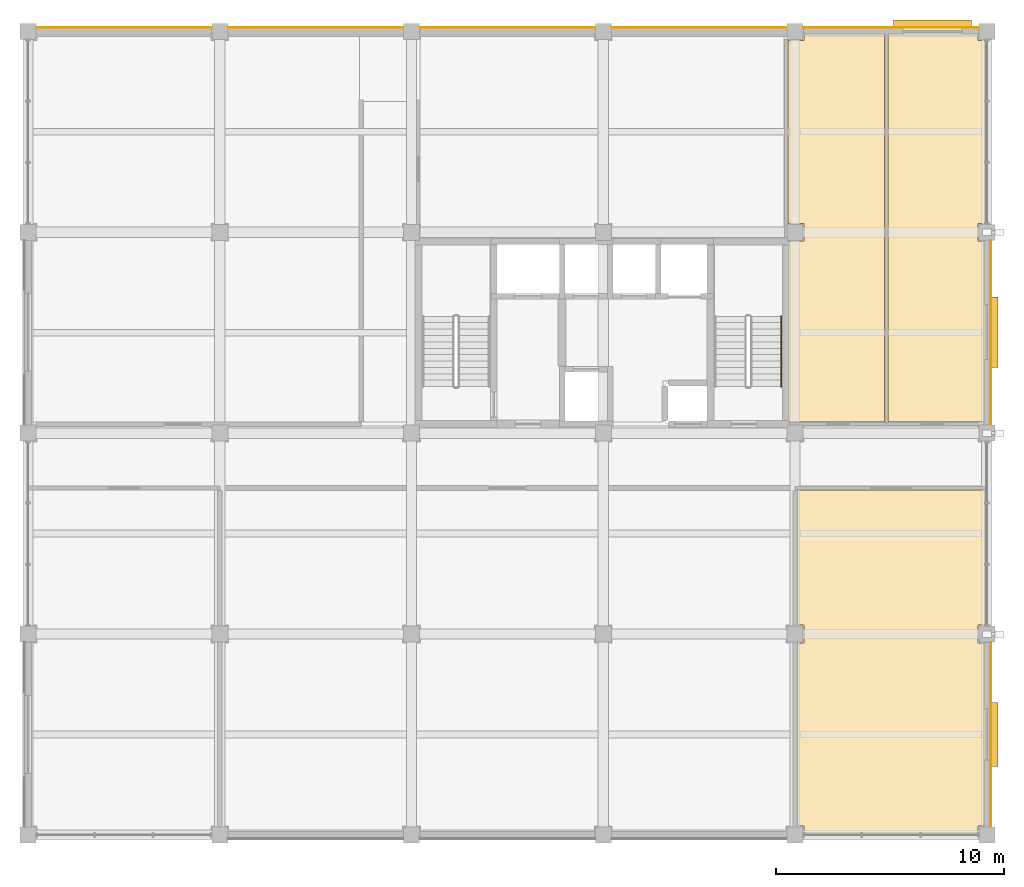
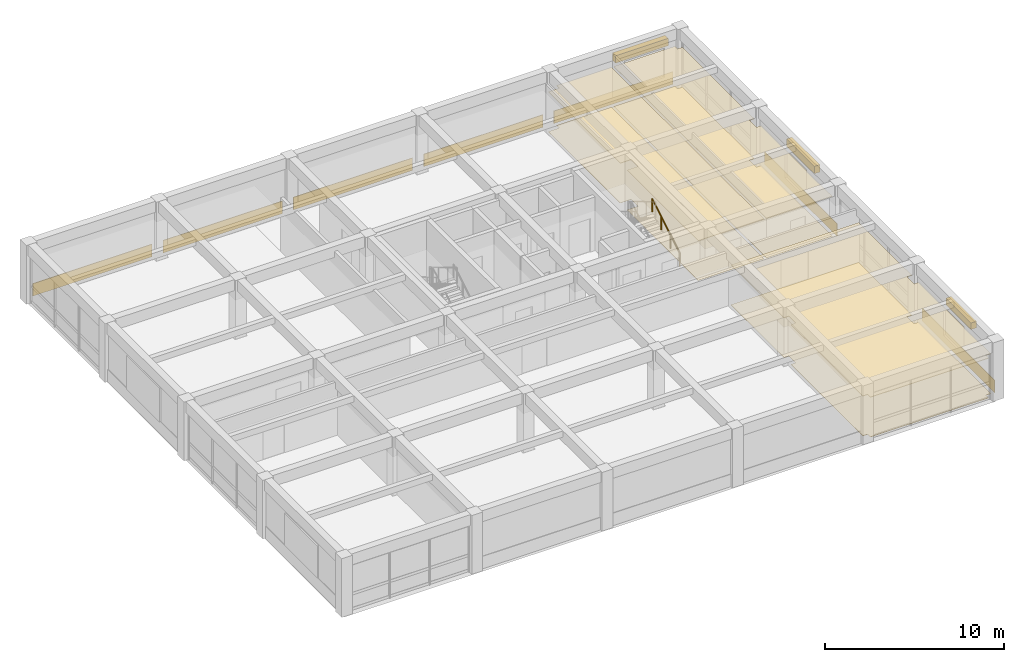
# One storey, part 14 of 14: 13 coverings, 3 shading devices, 1 railing.
"""IFC4 building model written with IfcOpenShell, lengths in metres."""

from ifc_helpers import new_model, si_unit, direction, frame, origin, origin_2d, place, context, subcontext, project, spatial, polyline, rectangle, circle, outline, extrude, material, layer, layer_set, type_object, element, save


model = new_model("IFC4")

# Units and contexts
model_context = context("Model", 3, precision=1e-05, world=origin(), true_north=direction((0.0, 1.0)))
body_context = subcontext(model_context, "Body", "Model", "MODEL_VIEW")
ifc_project = project(units=[si_unit("LENGTHUNIT", "METRE"), si_unit("AREAUNIT", "SQUARE_METRE"), si_unit("VOLUMEUNIT", "CUBIC_METRE"), si_unit("PLANEANGLEUNIT", "RADIAN"), si_unit("MASSUNIT", "GRAM", prefix="KILO")], contexts=[model_context])

# Site, building, storey
site_placement = place(None, origin())
site = spatial("IfcSite", under=ifc_project, at=site_placement, CompositionType="ELEMENT")
building_placement = place(site_placement, origin())
building = spatial("IfcBuilding", under=site, at=building_placement, Name="Kemercrest Conservatory and Botanical Centre", CompositionType="ELEMENT")
storey_placement = place(building_placement, frame((0.0, 0.0, 32.800048828125)))
storey = spatial("IfcBuildingStorey", under=building, at=storey_placement, Name="L08", CompositionType="ELEMENT", Elevation=32.800048828125)

# Coverings
ifc_material_1 = material(Name="Honed limestone almasik ashlar rainscreen", Category="masonry")
ifc_layer_1 = layer(ifc_material_1, 0.0400390625)
ifc_layer_set_1 = layer_set([ifc_layer_1], Name="Honed limestone almasik ashlar rainscreen")
covering_type_1 = type_object("IfcCoveringType", Name="CV-CLD040", PredefinedType="CLADDING", material=ifc_layer_set_1)
covering_1_placement = place(storey_placement, origin())
element("IfcCovering", 1, at=covering_1_placement, inside=storey, type_object=covering_type_1, Name="Exterior stone spandrel cladding (WAL:L08:EXT-277)", PredefinedType="CLADDING", context=body_context, shape_type="SweptSolid", body=[
    extrude(outline(polyline([(176.14990234375, 87.56005859375), (176.18994140625, 87.56005859375), (176.18994140625, 95.639892578125), (176.14990234375, 95.639892578125), (176.14990234375, 87.56005859375)])), origin(), (0.0, 0.0, 1.0), 0.849853515625),
])
covering_2_placement = place(storey_placement, origin())
element("IfcCovering", 2, at=covering_2_placement, inside=storey, type_object=covering_type_1, Name="Exterior stone spandrel cladding (WAL:L08:EXT-278)", PredefinedType="CLADDING", context=body_context, shape_type="SweptSolid", body=[
    extrude(outline(polyline([(176.14990234375, 105.159912109375), (176.18994140625, 105.159912109375), (176.18994140625, 113.239990234375), (176.14990234375, 113.239990234375), (176.14990234375, 105.159912109375)])), origin(), (0.0, 0.0, 1.0), 0.849853515625),
])
covering_3_placement = place(storey_placement, origin())
element("IfcCovering", 3, at=covering_3_placement, inside=storey, type_object=covering_type_1, Name="Exterior stone spandrel cladding (WAL:L08:EXT-279)", PredefinedType="CLADDING", context=body_context, shape_type="SweptSolid", body=[
    extrude(outline(polyline([(175.639892578125, 122.550048828125), (175.639892578125, 122.590087890625), (167.9599609375, 122.590087890625), (167.9599609375, 122.550048828125), (175.639892578125, 122.550048828125)])), origin(), (0.0, 0.0, 1.0), 0.849853515625),
])
covering_4_placement = place(storey_placement, origin())
element("IfcCovering", 4, at=covering_4_placement, inside=storey, type_object=covering_type_1, Name="Exterior stone spandrel cladding (WAL:L08:EXT-280)", PredefinedType="CLADDING", context=body_context, shape_type="SweptSolid", body=[
    extrude(outline(polyline([(167.239990234375, 122.550048828125), (167.239990234375, 122.590087890625), (159.56005859375, 122.590087890625), (159.56005859375, 122.550048828125), (167.239990234375, 122.550048828125)])), origin(), (0.0, 0.0, 1.0), 0.849853515625),
])
covering_5_placement = place(storey_placement, origin())
element("IfcCovering", 5, at=covering_5_placement, inside=storey, type_object=covering_type_1, Name="Exterior stone spandrel cladding (WAL:L08:EXT-281)", PredefinedType="CLADDING", context=body_context, shape_type="SweptSolid", body=[
    extrude(outline(polyline([(158.840087890625, 122.550048828125), (158.840087890625, 122.590087890625), (151.159912109375, 122.590087890625), (151.159912109375, 122.550048828125), (158.840087890625, 122.550048828125)])), origin(), (0.0, 0.0, 1.0), 0.849853515625),
])
covering_6_placement = place(storey_placement, origin())
element("IfcCovering", 6, at=covering_6_placement, inside=storey, type_object=covering_type_1, Name="Exterior stone spandrel cladding (WAL:L08:EXT-282)", PredefinedType="CLADDING", context=body_context, shape_type="SweptSolid", body=[
    extrude(outline(polyline([(150.43994140625, 122.550048828125), (150.43994140625, 122.590087890625), (142.760009765625, 122.590087890625), (142.760009765625, 122.550048828125), (150.43994140625, 122.550048828125)])), origin(), (0.0, 0.0, 1.0), 0.849853515625),
])
covering_7_placement = place(storey_placement, origin())
element("IfcCovering", 7, at=covering_7_placement, inside=storey, type_object=covering_type_1, Name="Exterior stone spandrel cladding (WAL:L08:EXT-283)", PredefinedType="CLADDING", context=body_context, shape_type="SweptSolid", body=[
    extrude(outline(polyline([(142.0400390625, 122.550048828125), (142.0400390625, 122.590087890625), (134.360107421875, 122.590087890625), (134.360107421875, 122.550048828125), (142.0400390625, 122.550048828125)])), origin(), (0.0, 0.0, 1.0), 0.849853515625),
])
ifc_material_2 = material(Name="Perforated acoustic gypsum and mineral-fibre suspended ceiling", Category="gypsum")
ifc_layer_2 = layer(ifc_material_2, 0.034912109375)
ifc_layer_set_2 = layer_set([ifc_layer_2], Name="Perforated acoustic gypsum and mineral-fibre suspended ceiling")
covering_type_2 = type_object("IfcCoveringType", Name="CV-CLG035", PredefinedType="CEILING", material=ifc_layer_set_2)
covering_8_placement = place(storey_placement, frame((0.0, 0.0, 2.699951171875)))
element("IfcCovering", 8, at=covering_8_placement, inside=storey, type_object=covering_type_2, Name="Taxonomic Research Studio suspended acoustic ceiling", PredefinedType="CEILING", context=body_context, shape_type="SweptSolid", body=[
    extrude(outline(polyline([(167.989990234375, 87.280029296875), (175.610107421875, 87.280029296875), (175.610107421875, 87.590087890625), (175.919921875, 87.590087890625), (175.919921875, 95.610107421875), (175.610107421875, 95.610107421875), (175.610107421875, 96.389892578125), (175.919921875, 96.389892578125), (175.919921875, 102.320068359375), (167.679931640625, 102.320068359375), (167.679931640625, 96.389892578125), (167.989990234375, 96.389892578125), (167.989990234375, 95.610107421875), (167.679931640625, 95.610107421875), (167.679931640625, 87.590087890625), (167.989990234375, 87.590087890625), (167.989990234375, 87.280029296875)])), origin(), (0.0, 0.0, 1.0), 0.034912109375),
])
covering_9_placement = place(storey_placement, frame((0.0, 0.0, 2.699951171875)))
element("IfcCovering", 9, at=covering_9_placement, inside=storey, type_object=covering_type_2, Name="Staff Washroom suspended acoustic ceiling", PredefinedType="CEILING", context=body_context, shape_type="SweptSolid", body=[
    extrude(outline(polyline([(167.280029296875, 105.280029296875), (171.52001953125, 105.280029296875), (171.52001953125, 122.320068359375), (167.989990234375, 122.320068359375), (167.989990234375, 122.010009765625), (167.280029296875, 122.010009765625), (167.280029296875, 113.989990234375), (167.989990234375, 113.989990234375), (167.989990234375, 113.2099609375), (167.280029296875, 113.2099609375), (167.280029296875, 105.280029296875)])), origin(), (0.0, 0.0, 1.0), 0.034912109375),
])
covering_10_placement = place(storey_placement, frame((0.0, 0.0, 2.699951171875)))
element("IfcCovering", 10, at=covering_10_placement, inside=storey, type_object=covering_type_2, Name="Accessible Washroom suspended acoustic ceiling", PredefinedType="CEILING", context=body_context, shape_type="SweptSolid", body=[
    extrude(outline(polyline([(171.679931640625, 105.280029296875), (175.919921875, 105.280029296875), (175.919921875, 113.2099609375), (175.610107421875, 113.2099609375), (175.610107421875, 113.989990234375), (175.919921875, 113.989990234375), (175.919921875, 122.010009765625), (175.610107421875, 122.010009765625), (175.610107421875, 122.320068359375), (171.679931640625, 122.320068359375), (171.679931640625, 105.280029296875)])), origin(), (0.0, 0.0, 1.0), 0.034912109375),
])
ifc_material_3 = material(Name="Polished limestone terrazzo and seamless laboratory epoxy flooring", Category="masonry")
ifc_layer_3 = layer(ifc_material_3, 0.02001953125)
ifc_layer_set_3 = layer_set([ifc_layer_3], Name="Polished limestone terrazzo and seamless laboratory epoxy flooring")
covering_type_3 = type_object("IfcCoveringType", Name="CV-FLR020", PredefinedType="FLOORING", material=ifc_layer_set_3)
covering_11_placement = place(storey_placement, origin())
element("IfcCovering", 11, at=covering_11_placement, inside=storey, type_object=covering_type_3, Name="Taxonomic Research Studio floor finish", PredefinedType="FLOORING", context=body_context, shape_type="SweptSolid", body=[
    extrude(outline(polyline([(167.989990234375, 87.280029296875), (175.610107421875, 87.280029296875), (175.610107421875, 87.590087890625), (175.919921875, 87.590087890625), (175.919921875, 95.610107421875), (175.610107421875, 95.610107421875), (175.610107421875, 96.389892578125), (175.919921875, 96.389892578125), (175.919921875, 102.320068359375), (167.679931640625, 102.320068359375), (167.679931640625, 96.389892578125), (167.989990234375, 96.389892578125), (167.989990234375, 95.610107421875), (167.679931640625, 95.610107421875), (167.679931640625, 87.590087890625), (167.989990234375, 87.590087890625), (167.989990234375, 87.280029296875)])), origin(), (0.0, 0.0, 1.0), 0.02001953125),
])
covering_12_placement = place(storey_placement, origin())
element("IfcCovering", 12, at=covering_12_placement, inside=storey, type_object=covering_type_3, Name="Staff Washroom floor finish", PredefinedType="FLOORING", context=body_context, shape_type="SweptSolid", body=[
    extrude(outline(polyline([(167.280029296875, 105.280029296875), (171.52001953125, 105.280029296875), (171.52001953125, 122.320068359375), (167.989990234375, 122.320068359375), (167.989990234375, 122.010009765625), (167.280029296875, 122.010009765625), (167.280029296875, 113.989990234375), (167.989990234375, 113.989990234375), (167.989990234375, 113.2099609375), (167.280029296875, 113.2099609375), (167.280029296875, 105.280029296875)])), origin(), (0.0, 0.0, 1.0), 0.02001953125),
])
covering_13_placement = place(storey_placement, origin())
element("IfcCovering", 13, at=covering_13_placement, inside=storey, type_object=covering_type_3, Name="Accessible Washroom floor finish", PredefinedType="FLOORING", context=body_context, shape_type="SweptSolid", body=[
    extrude(outline(polyline([(171.679931640625, 105.280029296875), (175.919921875, 105.280029296875), (175.919921875, 113.2099609375), (175.610107421875, 113.2099609375), (175.610107421875, 113.989990234375), (175.919921875, 113.989990234375), (175.919921875, 122.010009765625), (175.610107421875, 122.010009765625), (175.610107421875, 122.320068359375), (171.679931640625, 122.320068359375), (171.679931640625, 105.280029296875)])), origin(), (0.0, 0.0, 1.0), 0.02001953125),
])

# Railing
ifc_material_4 = material(Name="Brushed stainless steel wall-mounted handrail", Category="steel")
railing_type = type_object("IfcRailingType", Name="HR-STR090", PredefinedType="HANDRAIL", material=ifc_material_4)
railing_placement = place(storey_placement, frame((166.989990234375, 106.840087890625, 0.16650390625)))
element("IfcRailing", 14, at=railing_placement, inside=storey, type_object=railing_type, Name="L08 ST-V4B stair handrail 1", PredefinedType="HANDRAIL", context=body_context, shape_type="SweptSolid", body=[
    extrude(circle(Radius=0.02392578125, at=origin_2d()), frame((0.0, 0.0, 0.8759765625), z_axis=(0.0, 0.859260807169, 0.511537745687), x_axis=(-1.0, 0.0, 0.0)), (0.0, 0.0, 1.0), 3.584228515625),
    extrude(circle(Radius=0.02099609375, at=origin_2d()), origin(), (0.0, 0.0, 1.0), 0.851806640625),
    extrude(circle(Radius=0.02099609375, at=origin_2d()), frame((0.0, 1.026611328125, 0.611083984375)), (0.0, 0.0, 1.0), 0.851806640625),
    extrude(circle(Radius=0.02099609375, at=origin_2d()), frame((0.0, 2.05322265625, 1.222412109375)), (0.0, 0.0, 1.0), 0.851806640625),
    extrude(circle(Radius=0.02099609375, at=origin_2d()), frame((0.0, 3.079833984375, 1.83349609375)), (0.0, 0.0, 1.0), 0.851806640625),
])

# Shading devices
ifc_material_5 = material(Name="Architectural bronze-anodized extruded aluminium", Category="aluminium")
shading_device_type_1 = type_object("IfcShadingDeviceType", Name="SH-JL03", PredefinedType="JALOUSIE", material=ifc_material_5)
shading_device_1_placement = place(storey_placement, frame((176.322998046875, 91.60009765625, 2.705078125), z_axis=(0.0, 0.0, 1.0), x_axis=(0.0, 1.0, 0.0)))
element("IfcShadingDevice", 15, at=shading_device_1_placement, inside=storey, type_object=shading_device_type_1, Name="Solar control louvre visor SH-JL03 (WIN:L08:EXT-277)", PredefinedType="JALOUSIE", context=body_context, shape_type="SweptSolid", body=[
    extrude(rectangle(XDim=2.800048828125, YDim=0.35009765625, at=origin_2d()), origin(), (0.0, 0.0, 1.0), 0.449951171875),
])
shading_device_type_2 = type_object("IfcShadingDeviceType", Name="SH-JL04", PredefinedType="JALOUSIE", material=ifc_material_5)
shading_device_2_placement = place(storey_placement, frame((176.322998046875, 109.219970703125, 2.72998046875), z_axis=(0.0, 0.0, 1.0), x_axis=(0.0, 1.0, 0.0)))
element("IfcShadingDevice", 16, at=shading_device_2_placement, inside=storey, type_object=shading_device_type_2, Name="Solar control louvre visor SH-JL04 (WIN:L08:EXT-278)", PredefinedType="JALOUSIE", context=body_context, shape_type="SweptSolid", body=[
    extrude(rectangle(XDim=3.10009765625, YDim=0.35009765625, at=origin_2d()), origin(), (0.0, 0.0, 1.0), 0.5),
])
shading_device_type_3 = type_object("IfcShadingDeviceType", Name="SH-JL05", PredefinedType="JALOUSIE", material=ifc_material_5)
shading_device_3_placement = place(storey_placement, frame((173.6201171875, 122.722900390625, 2.72998046875), z_axis=(0.0, 0.0, 1.0), x_axis=(-1.0, 0.0, 0.0)))
element("IfcShadingDevice", 17, at=shading_device_3_placement, inside=storey, type_object=shading_device_type_3, Name="Solar control louvre visor SH-JL05 (WIN:L08:EXT-279)", PredefinedType="JALOUSIE", context=body_context, shape_type="SweptSolid", body=[
    extrude(rectangle(XDim=3.39990234375, YDim=0.35009765625, at=origin_2d()), origin(), (0.0, 0.0, 1.0), 0.5),
])

save(model, "model.ifc")
